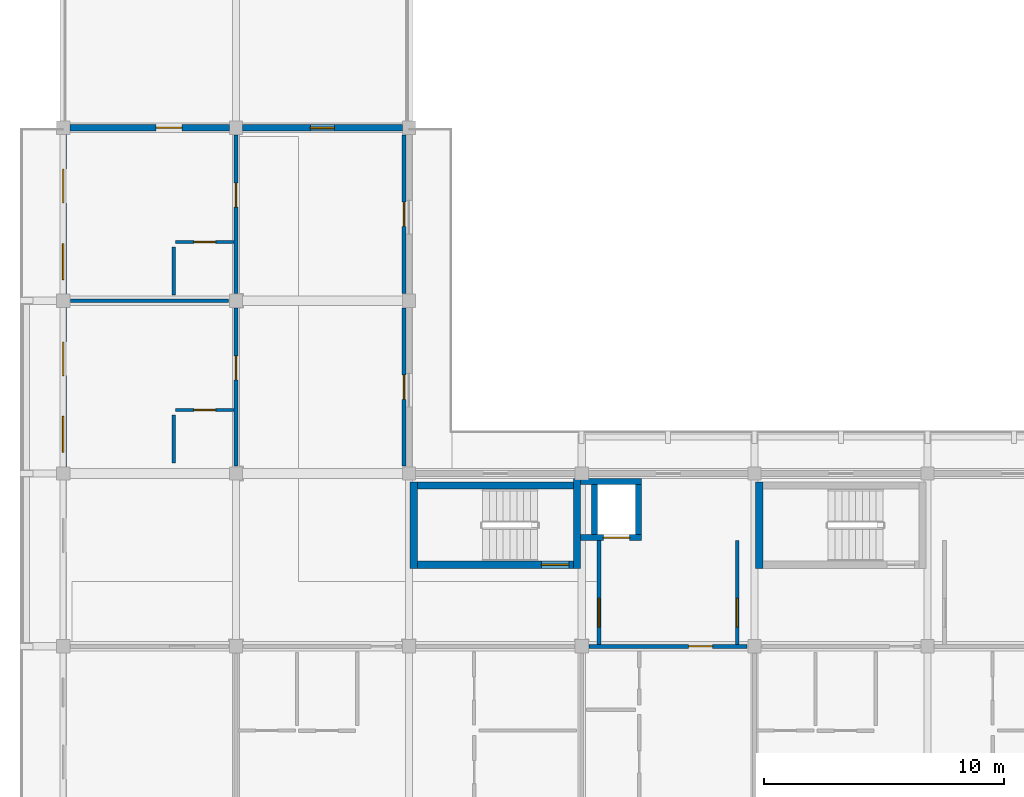
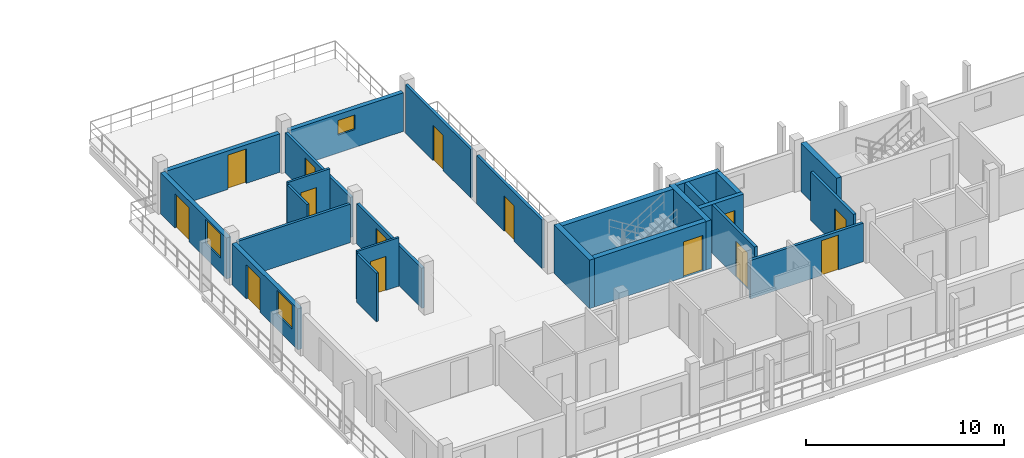
# One storey, part 35 of 67: 25 walls, 14 doors, 3 windows, 17 openings.
"""IFC4 building model written with IfcOpenShell, lengths in metres."""

from ifc_helpers import new_model, si_unit, direction, frame, frame_2d, origin, place, context, subcontext, project, spatial, rectangle, extrude, material, layer, layer_set, type_object, element, fill, save


model = new_model("IFC4")

# Units and contexts
model_context = context("Model", 3, precision=1e-05, world=origin(), true_north=direction((0.0, 1.0)))
body_context = subcontext(model_context, "Body", "Model", "MODEL_VIEW")
ifc_project = project(units=[si_unit("LENGTHUNIT", "METRE"), si_unit("AREAUNIT", "SQUARE_METRE"), si_unit("VOLUMEUNIT", "CUBIC_METRE"), si_unit("PLANEANGLEUNIT", "RADIAN"), si_unit("MASSUNIT", "GRAM", prefix="KILO")], contexts=[model_context])

# Site, building, storey
site_placement = place(None, origin())
site = spatial("IfcSite", under=ifc_project, at=site_placement, CompositionType="ELEMENT")
building_placement = place(site_placement, origin())
building = spatial("IfcBuilding", under=site, at=building_placement, Name="Suanplinth Sawtooth Commons", CompositionType="ELEMENT")
storey_placement = place(building_placement, frame((0.0, 0.0, 25.10009765625)))
storey = spatial("IfcBuildingStorey", under=building, at=storey_placement, Name="L07", CompositionType="ELEMENT", Elevation=25.10009765625)

# Wall, opening, door
ifc_material_1 = material(Name="Concrete C40/50", Category="concrete")
ifc_layer_1 = layer(ifc_material_1, 0.300048828125, Name="Standard RC stair and lift core wall 300mm")
ifc_layer_set_1 = layer_set([ifc_layer_1], Name="Concrete C40/50")
wall_type_1 = type_object("IfcWallType", Name="W-CR02", PredefinedType="SHEAR", material=ifc_layer_set_1)
wall_1_placement = place(storey_placement, frame((14.75, 10.60009765625, 0.0), z_axis=(0.0, 0.0, 1.0), x_axis=(1.0, 0.0, 0.0)))
wall_1 = element("IfcWall", 1, at=wall_1_placement, inside=storey, type_object=wall_type_1, Name="W-L07-C-D1-STS", PredefinedType="SHEAR", context=body_context, shape_type="SweptSolid", body=[
    extrude(rectangle(XDim=6.5, YDim=0.300048828125, at=frame_2d((3.25, 0.0))), origin(), (0.0, 0.0, 1.0), 2.989990234375),
])
opening_1_placement = place(wall_1_placement, frame((5.169921875, 0.0, 0.0)))
opening_1 = element("IfcOpeningElement", 2, at=opening_1_placement, cuts=wall_1, Name="Opening FD0389", PredefinedType="OPENING", context=body_context, shape_type="SweptSolid", body=[
    extrude(rectangle(XDim=1.14990234375, YDim=2.199951171875, at=frame_2d((0.574951171875, 1.10009765625))), frame((0.0, 0.1650390625, 0.0), z_axis=(0.0, -1.0, 0.0), x_axis=(1.0, 0.0, 0.0)), (0.0, 0.0, 1.0), 0.329833984375),
])
ifc_material_2 = material(Name="Teak hardwood fire-rated door assembly", Category="wood")
door_type_1 = type_object("IfcDoorType", Name="FD-01", OperationType="NOTDEFINED", PredefinedType="DOOR", material=ifc_material_2)
door_1_placement = place(opening_1_placement, origin())
door_1 = element("IfcDoor", 3, at=door_1_placement, inside=storey, type_object=door_type_1, Name="Exit Stair Fire Door FD0389", OperationType="SINGLE_SWING_RIGHT", OverallHeight=2.199951171875, OverallWidth=1.14990234375, PredefinedType="DOOR", context=body_context, shape_type="SweptSolid", body=[
    extrude(rectangle(XDim=1.14990234375, YDim=2.199951171875, at=frame_2d((0.574951171875, 1.10009765625))), frame((0.0, 0.02490234375, 0.0), z_axis=(0.0, -1.0, 0.0), x_axis=(1.0, 0.0, 0.0)), (0.0, 0.0, 1.0), 0.050048828125),
])
fill(opening_1, door_1)

# Walls
wall_2_placement = place(storey_placement, frame((14.75, 13.89990234375, 0.0), z_axis=(0.0, 0.0, 1.0), x_axis=(1.0, 0.0, 0.0)))
element("IfcWall", 4, at=wall_2_placement, inside=storey, type_object=wall_type_1, Name="W-L07-C-D1-STN", PredefinedType="SHEAR", context=body_context, shape_type="SweptSolid", body=[
    extrude(rectangle(XDim=6.5, YDim=0.300048828125, at=frame_2d((3.25, 0.0))), origin(), (0.0, 0.0, 1.0), 2.989990234375),
])
wall_3_placement = place(storey_placement, frame((14.60009765625, 10.449951171875, 0.0), z_axis=(0.0, 0.0, 1.0), x_axis=(0.0, 1.0, 0.0)))
element("IfcWall", 5, at=wall_3_placement, inside=storey, type_object=wall_type_1, Name="W-L07-C-D1-STW", PredefinedType="SHEAR", context=body_context, shape_type="SweptSolid", body=[
    extrude(rectangle(XDim=3.60009765625, YDim=0.300048828125, at=frame_2d((1.800048828125, 0.0))), origin(), (0.0, 0.0, 1.0), 2.989990234375),
])
wall_4_placement = place(storey_placement, frame((21.39990234375, 10.449951171875, 0.0), z_axis=(0.0, 0.0, 1.0), x_axis=(0.0, 1.0, 0.0)))
element("IfcWall", 6, at=wall_4_placement, inside=storey, type_object=wall_type_1, Name="W-L07-C-D1-STE", PredefinedType="SHEAR", context=body_context, shape_type="SweptSolid", body=[
    extrude(rectangle(XDim=3.75, YDim=0.300048828125, at=frame_2d((1.875, 0.0))), origin(), (0.0, 0.0, 1.0), 2.989990234375),
])
wall_5_placement = place(storey_placement, frame((29.0, 10.449951171875, 0.0), z_axis=(0.0, 0.0, 1.0), x_axis=(0.0, 1.0, 0.0)))
element("IfcWall", 7, at=wall_5_placement, inside=storey, type_object=wall_type_1, Name="W-L07-C-D2-STW", PredefinedType="SHEAR", context=body_context, shape_type="SweptSolid", body=[
    extrude(rectangle(XDim=3.60009765625, YDim=0.300048828125, at=frame_2d((1.800048828125, 0.0))), origin(), (0.0, 0.0, 1.0), 2.989990234375),
])

# Wall, openings, door, window
ifc_material_3 = material(Name="Precast concrete C40/50", Category="concrete")
ifc_layer_2 = layer(ifc_material_3, 0.260009765625, Name="Insulated precast courtyard facade wall 260mm")
ifc_layer_set_2 = layer_set([ifc_layer_2], Name="Precast concrete C40/50")
wall_type_2 = type_object("IfcWallType", Name="W-EX02", PredefinedType="ELEMENTEDWALL", material=ifc_layer_set_2)
wall_6_placement = place(storey_placement, frame((0.0, 14.675048828125, 0.0), z_axis=(0.0, 0.0, 1.0), x_axis=(0.0, 1.0, 0.0)))
wall_6 = element("IfcWall", 8, at=wall_6_placement, inside=storey, type_object=wall_type_2, Name="Facade Wall W-L07-D-W-0-2", PredefinedType="ELEMENTEDWALL", context=body_context, shape_type="SweptSolid", body=[
    extrude(rectangle(XDim=6.64990234375, YDim=0.260009765625, at=frame_2d((3.324951171875, 0.0))), origin(), (0.0, 0.0, 1.0), 2.52490234375),
])
opening_2_placement = place(wall_6_placement, frame((3.800048828125, 0.0, 0.0)))
opening_2 = element("IfcOpeningElement", 9, at=opening_2_placement, cuts=wall_6, Name="Opening ED0612", PredefinedType="OPENING", context=body_context, shape_type="SweptSolid", body=[
    extrude(rectangle(XDim=1.39990234375, YDim=2.10009765625, at=frame_2d((0.699951171875, 1.050048828125))), frame((0.0, 0.14501953125, 0.0), z_axis=(0.0, -1.0, 0.0), x_axis=(1.0, 0.0, 0.0)), (0.0, 0.0, 1.0), 0.289794921875),
])
opening_3_placement = place(wall_6_placement, frame((0.60009765625, 0.0, 0.9150390625)))
opening_3 = element("IfcOpeningElement", 10, at=opening_3_placement, cuts=wall_6, Name="Opening W0692", PredefinedType="OPENING", context=body_context, shape_type="SweptSolid", body=[
    extrude(rectangle(XDim=1.5, YDim=1.5, at=frame_2d((0.75, 0.75))), frame((0.0, 0.14501953125, 0.0), z_axis=(0.0, -1.0, 0.0), x_axis=(1.0, 0.0, 0.0)), (0.0, 0.0, 1.0), 0.289794921875),
])
ifc_material_4 = material(Name="Anodized aluminium and low-E glass", Category="aluminium")
door_type_2 = type_object("IfcDoorType", Name="SD-07", OperationType="SLIDING_TO_RIGHT", PredefinedType="DOOR", material=ifc_material_4)
door_2_placement = place(opening_2_placement, frame((1.39990234375, 0.0, 0.0), z_axis=(0.0, 0.0, 1.0), x_axis=(-1.0, 0.0, 0.0)))
door_2 = element("IfcDoor", 11, at=door_2_placement, inside=storey, type_object=door_type_2, Name="Wing Balcony Sliding Door L07-D-2", OperationType="SLIDING_TO_RIGHT", OverallHeight=2.10009765625, OverallWidth=1.39990234375, PredefinedType="DOOR", context=body_context, shape_type="SweptSolid", body=[
    extrude(rectangle(XDim=1.39990234375, YDim=2.10009765625, at=frame_2d((0.699951171875, 1.050048828125))), frame((0.0, 0.02490234375, 0.0), z_axis=(0.0, -1.0, 0.0), x_axis=(1.0, 0.0, 0.0)), (0.0, 0.0, 1.0), 0.050048828125),
])
fill(opening_2, door_2)
ifc_material_5 = material(Name="Thermally broken aluminium and low-E double glazing", Category="aluminium")
window_type_1 = type_object("IfcWindowType", Name="WN-02", PartitioningType="DOUBLE_PANEL_VERTICAL", PredefinedType="WINDOW", material=ifc_material_5)
window_1_placement = place(opening_3_placement, origin())
window_1 = element("IfcWindow", 12, at=window_1_placement, inside=storey, type_object=window_type_1, Name="Wing Window L07-D-2", OverallHeight=1.5, OverallWidth=1.5, PartitioningType="DOUBLE_PANEL_VERTICAL", PredefinedType="WINDOW", context=body_context, shape_type="SweptSolid", body=[
    extrude(rectangle(XDim=1.5, YDim=1.5, at=frame_2d((0.75, 0.75))), frame((0.0, 0.030029296875, 0.0), z_axis=(0.0, -1.0, 0.0), x_axis=(1.0, 0.0, 0.0)), (0.0, 0.0, 1.0), 0.06005859375),
])
fill(opening_3, window_1)

# Wall, opening, door
wall_7_placement = place(storey_placement, frame((0.27490234375, 28.800048828125, 0.0), z_axis=(0.0, 0.0, 1.0), x_axis=(1.0, 0.0, 0.0)))
wall_7 = element("IfcWall", 13, at=wall_7_placement, inside=storey, type_object=wall_type_2, Name="Facade Wall W-L07-D-N-0-3", PredefinedType="ELEMENTEDWALL", context=body_context, shape_type="SweptSolid", body=[
    extrude(rectangle(XDim=6.650146484375, YDim=0.260009765625, at=frame_2d((3.3251953125, 0.0))), origin(), (0.0, 0.0, 1.0), 2.375),
])
opening_4_placement = place(wall_7_placement, frame((3.60009765625, 0.0, 0.0)))
opening_4 = element("IfcOpeningElement", 14, at=opening_4_placement, cuts=wall_7, Name="Opening ED0613", PredefinedType="OPENING", context=body_context, shape_type="SweptSolid", body=[
    extrude(rectangle(XDim=1.080078125, YDim=2.1201171875, at=frame_2d((0.5400390625, 1.06005859375))), frame((0.0, 0.14501953125, 0.0), z_axis=(0.0, -1.0, 0.0), x_axis=(1.0, 0.0, 0.0)), (0.0, 0.0, 1.0), 0.289794921875),
])
door_type_3 = type_object("IfcDoorType", Name="ED-10", OperationType="NOTDEFINED", PredefinedType="DOOR", material=ifc_material_4)
door_3_placement = place(opening_4_placement, frame((1.080078125, 0.0, 0.0), z_axis=(0.0, 0.0, 1.0), x_axis=(-1.0, 0.0, 0.0)))
door_3 = element("IfcDoor", 15, at=door_3_placement, inside=storey, type_object=door_type_3, Name="L07 Block D Stepped Sky-Terrace Door 1", OperationType="SINGLE_SWING_RIGHT", OverallHeight=2.1201171875, OverallWidth=1.080078125, PredefinedType="DOOR", context=body_context, shape_type="SweptSolid", body=[
    extrude(rectangle(XDim=1.080078125, YDim=2.1201171875, at=frame_2d((0.5400390625, 1.06005859375))), frame((0.0, 0.02490234375, 0.0), z_axis=(0.0, -1.0, 0.0), x_axis=(1.0, 0.0, 0.0)), (0.0, 0.0, 1.0), 0.050048828125),
])
fill(opening_4, door_3)

# Wall, openings, door, window
wall_8_placement = place(storey_placement, frame((0.0, 21.875, 0.0), z_axis=(0.0, 0.0, 1.0), x_axis=(0.0, 1.0, 0.0)))
wall_8 = element("IfcWall", 16, at=wall_8_placement, inside=storey, type_object=wall_type_2, Name="Facade Wall W-L07-D-W-0-3", PredefinedType="ELEMENTEDWALL", context=body_context, shape_type="SweptSolid", body=[
    extrude(rectangle(XDim=6.64990234375, YDim=0.260009765625, at=frame_2d((3.324951171875, 0.0))), origin(), (0.0, 0.0, 1.0), 2.52490234375),
])
opening_5_placement = place(wall_8_placement, frame((3.800048828125, 0.0, 0.0)))
opening_5 = element("IfcOpeningElement", 17, at=opening_5_placement, cuts=wall_8, Name="Opening ED0614", PredefinedType="OPENING", context=body_context, shape_type="SweptSolid", body=[
    extrude(rectangle(XDim=1.39990234375, YDim=2.10009765625, at=frame_2d((0.699951171875, 1.050048828125))), frame((0.0, 0.14501953125, 0.0), z_axis=(0.0, -1.0, 0.0), x_axis=(1.0, 0.0, 0.0)), (0.0, 0.0, 1.0), 0.289794921875),
])
opening_6_placement = place(wall_8_placement, frame((0.60009765625, 0.0, 0.9150390625)))
opening_6 = element("IfcOpeningElement", 18, at=opening_6_placement, cuts=wall_8, Name="Opening W0693", PredefinedType="OPENING", context=body_context, shape_type="SweptSolid", body=[
    extrude(rectangle(XDim=1.5, YDim=1.5, at=frame_2d((0.75, 0.75))), frame((0.0, 0.14501953125, 0.0), z_axis=(0.0, -1.0, 0.0), x_axis=(1.0, 0.0, 0.0)), (0.0, 0.0, 1.0), 0.289794921875),
])
door_4_placement = place(opening_5_placement, frame((1.39990234375, 0.0, 0.0), z_axis=(0.0, 0.0, 1.0), x_axis=(-1.0, 0.0, 0.0)))
door_4 = element("IfcDoor", 19, at=door_4_placement, inside=storey, type_object=door_type_2, Name="Wing Balcony Sliding Door L07-D-3", OperationType="SLIDING_TO_RIGHT", OverallHeight=2.10009765625, OverallWidth=1.39990234375, PredefinedType="DOOR", context=body_context, shape_type="SweptSolid", body=[
    extrude(rectangle(XDim=1.39990234375, YDim=2.10009765625, at=frame_2d((0.699951171875, 1.050048828125))), frame((0.0, 0.02490234375, 0.0), z_axis=(0.0, -1.0, 0.0), x_axis=(1.0, 0.0, 0.0)), (0.0, 0.0, 1.0), 0.050048828125),
])
fill(opening_5, door_4)
window_2_placement = place(opening_6_placement, origin())
window_2 = element("IfcWindow", 20, at=window_2_placement, inside=storey, type_object=window_type_1, Name="Wing Window L07-D-3", OverallHeight=1.5, OverallWidth=1.5, PartitioningType="DOUBLE_PANEL_VERTICAL", PredefinedType="WINDOW", context=body_context, shape_type="SweptSolid", body=[
    extrude(rectangle(XDim=1.5, YDim=1.5, at=frame_2d((0.75, 0.75))), frame((0.0, 0.030029296875, 0.0), z_axis=(0.0, -1.0, 0.0), x_axis=(1.0, 0.0, 0.0)), (0.0, 0.0, 1.0), 0.06005859375),
])
fill(opening_6, window_2)

# Wall, opening, window
wall_9_placement = place(storey_placement, frame((7.47509765625, 28.800048828125, 0.0), z_axis=(0.0, 0.0, 1.0), x_axis=(1.0, 0.0, 0.0)))
wall_9 = element("IfcWall", 21, at=wall_9_placement, inside=storey, type_object=wall_type_2, Name="Facade Wall W-L07-D-N-1-3", PredefinedType="ELEMENTEDWALL", context=body_context, shape_type="SweptSolid", body=[
    extrude(rectangle(XDim=6.64990234375, YDim=0.260009765625, at=frame_2d((3.324951171875, 0.0))), origin(), (0.0, 0.0, 1.0), 2.375),
])
opening_7_placement = place(wall_9_placement, frame((2.824951171875, 0.0, 1.10009765625)))
opening_7 = element("IfcOpeningElement", 22, at=opening_7_placement, cuts=wall_9, Name="Opening W0695", PredefinedType="OPENING", context=body_context, shape_type="SweptSolid", body=[
    extrude(rectangle(XDim=1.0, YDim=0.89990234375, at=frame_2d((0.5, 0.449951171875))), frame((0.0, 0.14501953125, 0.0), z_axis=(0.0, -1.0, 0.0), x_axis=(1.0, 0.0, 0.0)), (0.0, 0.0, 1.0), 0.289794921875),
])
window_type_2 = type_object("IfcWindowType", Name="WN-12", PartitioningType="SINGLE_PANEL", PredefinedType="WINDOW", material=ifc_material_5)
window_3_placement = place(opening_7_placement, origin())
window_3 = element("IfcWindow", 23, at=window_3_placement, inside=storey, type_object=window_type_2, Name="End Window L07-D-N-1-3", OverallHeight=0.89990234375, OverallWidth=1.0, PartitioningType="SINGLE_PANEL", PredefinedType="WINDOW", context=body_context, shape_type="SweptSolid", body=[
    extrude(rectangle(XDim=1.0, YDim=0.89990234375, at=frame_2d((0.5, 0.449951171875))), frame((0.0, 0.030029296875, 0.0), z_axis=(0.0, -1.0, 0.0), x_axis=(1.0, 0.0, 0.0)), (0.0, 0.0, 1.0), 0.06005859375),
])
fill(opening_7, window_3)

# Wall, opening, door
ifc_layer_3 = layer(ifc_material_3, 0.159912109375, Name="Fire-rated corridor and lobby wall 160mm")
ifc_layer_set_3 = layer_set([ifc_layer_3], Name="Precast concrete C40/50")
wall_type_3 = type_object("IfcWallType", Name="W-FW01", PredefinedType="PARTITIONING", material=ifc_layer_set_3)
wall_10_placement = place(storey_placement, frame((22.320068359375, 7.280029296875, 0.0), z_axis=(0.0, 0.0, 1.0), x_axis=(0.0, 1.0, 0.0)))
wall_10 = element("IfcWall", 24, at=wall_10_placement, inside=storey, type_object=wall_type_3, Name="W-L07-C-D1-LOB-W", PredefinedType="PARTITIONING", context=body_context, shape_type="SweptSolid", body=[
    extrude(rectangle(XDim=4.320068359375, YDim=0.159912109375, at=frame_2d((2.16015625, 0.0))), origin(), (0.0, 0.0, 1.0), 2.989990234375),
])
opening_8_placement = place(wall_10_placement, frame((0.719970703125, 0.0, 0.0)))
opening_8 = element("IfcOpeningElement", 25, at=opening_8_placement, cuts=wall_10, Name="Opening FD0390", PredefinedType="OPENING", context=body_context, shape_type="SweptSolid", body=[
    extrude(rectangle(XDim=1.199951171875, YDim=2.199951171875, at=frame_2d((0.60009765625, 1.10009765625))), frame((0.0, 0.0947265625, 0.0), z_axis=(0.0, -1.0, 0.0), x_axis=(1.0, 0.0, 0.0)), (0.0, 0.0, 1.0), 0.189697265625),
])
door_type_4 = type_object("IfcDoorType", Name="FD-02", OperationType="NOTDEFINED", PredefinedType="DOOR", material=ifc_material_2)
door_5_placement = place(opening_8_placement, origin())
door_5 = element("IfcDoor", 26, at=door_5_placement, inside=storey, type_object=door_type_4, Name="Lobby Fire Door FD0390", OperationType="SINGLE_SWING_LEFT", OverallHeight=2.199951171875, OverallWidth=1.199951171875, PredefinedType="DOOR", context=body_context, shape_type="SweptSolid", body=[
    extrude(rectangle(XDim=1.199951171875, YDim=2.199951171875, at=frame_2d((0.60009765625, 1.10009765625))), frame((0.0, 0.02490234375, 0.0), z_axis=(0.0, -1.0, 0.0), x_axis=(1.0, 0.0, 0.0)), (0.0, 0.0, 1.0), 0.050048828125),
])
fill(opening_8, door_5)

wall_11_placement = place(storey_placement, frame((28.080078125, 7.280029296875, 0.0), z_axis=(0.0, 0.0, 1.0), x_axis=(0.0, 1.0, 0.0)))
wall_11 = element("IfcWall", 27, at=wall_11_placement, inside=storey, type_object=wall_type_3, Name="W-L07-C-D1-LOB-E", PredefinedType="PARTITIONING", context=body_context, shape_type="SweptSolid", body=[
    extrude(rectangle(XDim=4.320068359375, YDim=0.159912109375, at=frame_2d((2.16015625, 0.0))), origin(), (0.0, 0.0, 1.0), 2.989990234375),
])
opening_9_placement = place(wall_11_placement, frame((0.719970703125, 0.0, 0.0)))
opening_9 = element("IfcOpeningElement", 28, at=opening_9_placement, cuts=wall_11, Name="Opening FD0391", PredefinedType="OPENING", context=body_context, shape_type="SweptSolid", body=[
    extrude(rectangle(XDim=1.199951171875, YDim=2.199951171875, at=frame_2d((0.60009765625, 1.10009765625))), frame((0.0, 0.0947265625, 0.0), z_axis=(0.0, -1.0, 0.0), x_axis=(1.0, 0.0, 0.0)), (0.0, 0.0, 1.0), 0.189697265625),
])
door_6_placement = place(opening_9_placement, frame((1.199951171875, 0.0, 0.0), z_axis=(0.0, 0.0, 1.0), x_axis=(-1.0, 0.0, 0.0)))
door_6 = element("IfcDoor", 29, at=door_6_placement, inside=storey, type_object=door_type_4, Name="Lobby Fire Door FD0391", OperationType="SINGLE_SWING_RIGHT", OverallHeight=2.199951171875, OverallWidth=1.199951171875, PredefinedType="DOOR", context=body_context, shape_type="SweptSolid", body=[
    extrude(rectangle(XDim=1.199951171875, YDim=2.199951171875, at=frame_2d((0.60009765625, 1.10009765625))), frame((0.0, 0.02490234375, 0.0), z_axis=(0.0, -1.0, 0.0), x_axis=(1.0, 0.0, 0.0)), (0.0, 0.0, 1.0), 0.050048828125),
])
fill(opening_9, door_6)

wall_12_placement = place(storey_placement, frame((21.905029296875, 7.199951171875, 0.0), z_axis=(0.0, 0.0, 1.0), x_axis=(1.0, 0.0, 0.0)))
wall_12 = element("IfcWall", 30, at=wall_12_placement, inside=storey, type_object=wall_type_3, Name="W-D-L07-U03-COR", PredefinedType="PARTITIONING", context=body_context, shape_type="SweptSolid", body=[
    extrude(rectangle(XDim=6.590087890625, YDim=0.159912109375, at=frame_2d((3.294921875, 0.0))), origin(), (0.0, 0.0, 1.0), 2.375),
])
opening_10_placement = place(wall_12_placement, frame((4.14501953125, 0.0, 0.0)))
opening_10 = element("IfcOpeningElement", 31, at=opening_10_placement, cuts=wall_12, Name="Opening FD1610", PredefinedType="OPENING", context=body_context, shape_type="SweptSolid", body=[
    extrude(rectangle(XDim=1.0, YDim=2.14990234375, at=frame_2d((0.5, 1.074951171875))), frame((0.0, 0.0947265625, 0.0), z_axis=(0.0, -1.0, 0.0), x_axis=(1.0, 0.0, 0.0)), (0.0, 0.0, 1.0), 0.189697265625),
])
door_type_5 = type_object("IfcDoorType", Name="FD-03", OperationType="NOTDEFINED", PredefinedType="DOOR", material=ifc_material_2)
door_7_placement = place(opening_10_placement, frame((1.0, 0.0, 0.0), z_axis=(0.0, 0.0, 1.0), x_axis=(-1.0, 0.0, 0.0)))
door_7 = element("IfcDoor", 32, at=door_7_placement, inside=storey, type_object=door_type_5, Name="Unit Entrance Door FD1610", OperationType="SINGLE_SWING_RIGHT", OverallHeight=2.14990234375, OverallWidth=1.0, PredefinedType="DOOR", context=body_context, shape_type="SweptSolid", body=[
    extrude(rectangle(XDim=1.0, YDim=2.14990234375, at=frame_2d((0.5, 1.074951171875))), frame((0.0, 0.02490234375, 0.0), z_axis=(0.0, -1.0, 0.0), x_axis=(1.0, 0.0, 0.0)), (0.0, 0.0, 1.0), 0.050048828125),
])
fill(opening_10, door_7)

wall_13_placement = place(storey_placement, frame((7.199951171875, 14.705078125, 0.0), z_axis=(0.0, 0.0, 1.0), x_axis=(0.0, 1.0, 0.0)))
wall_13 = element("IfcWall", 33, at=wall_13_placement, inside=storey, type_object=wall_type_3, Name="W-D-L07-L01-COR", PredefinedType="PARTITIONING", context=body_context, shape_type="SweptSolid", body=[
    extrude(rectangle(XDim=6.58984375, YDim=0.159912109375, at=frame_2d((3.294921875, 0.0))), origin(), (0.0, 0.0, 1.0), 2.474853515625),
])
opening_11_placement = place(wall_13_placement, frame((3.594970703125, 0.0, 0.0)))
opening_11 = element("IfcOpeningElement", 34, at=opening_11_placement, cuts=wall_13, Name="Opening FD1622", PredefinedType="OPENING", context=body_context, shape_type="SweptSolid", body=[
    extrude(rectangle(XDim=1.0, YDim=2.14990234375, at=frame_2d((0.5, 1.074951171875))), frame((0.0, 0.0947265625, 0.0), z_axis=(0.0, -1.0, 0.0), x_axis=(1.0, 0.0, 0.0)), (0.0, 0.0, 1.0), 0.189697265625),
])
door_8_placement = place(opening_11_placement, origin())
door_8 = element("IfcDoor", 35, at=door_8_placement, inside=storey, type_object=door_type_5, Name="Wing Unit Entrance Door FD1622", OperationType="SINGLE_SWING_RIGHT", OverallHeight=2.14990234375, OverallWidth=1.0, PredefinedType="DOOR", context=body_context, shape_type="SweptSolid", body=[
    extrude(rectangle(XDim=1.0, YDim=2.14990234375, at=frame_2d((0.5, 1.074951171875))), frame((0.0, 0.02490234375, 0.0), z_axis=(0.0, -1.0, 0.0), x_axis=(1.0, 0.0, 0.0)), (0.0, 0.0, 1.0), 0.050048828125),
])
fill(opening_11, door_8)

wall_14_placement = place(storey_placement, frame((14.199951171875, 14.705078125, 0.0), z_axis=(0.0, 0.0, 1.0), x_axis=(0.0, 1.0, 0.0)))
wall_14 = element("IfcWall", 36, at=wall_14_placement, inside=storey, type_object=wall_type_3, Name="W-D-L07-LEGCOURTROOM-54-COR", PredefinedType="PARTITIONING", context=body_context, shape_type="SweptSolid", body=[
    extrude(rectangle(XDim=6.58984375, YDim=0.159912109375, at=frame_2d((3.294921875, 0.0))), origin(), (0.0, 0.0, 1.0), 2.989990234375),
])
opening_12_placement = place(wall_14_placement, frame((2.784912109375, 0.0, 0.0)))
opening_12 = element("IfcOpeningElement", 37, at=opening_12_placement, cuts=wall_14, Name="Opening D1624", PredefinedType="OPENING", context=body_context, shape_type="SweptSolid", body=[
    extrude(rectangle(XDim=1.02001953125, YDim=2.179931640625, at=frame_2d((0.510009765625, 1.08984375))), frame((0.0, 0.0947265625, 0.0), z_axis=(0.0, -1.0, 0.0), x_axis=(1.0, 0.0, 0.0)), (0.0, 0.0, 1.0), 0.189697265625),
])
ifc_material_6 = material(Name="Teak hardwood", Category="wood")
door_type_6 = type_object("IfcDoorType", Name="D-16", OperationType="NOTDEFINED", PredefinedType="DOOR", material=ifc_material_6)
door_9_placement = place(opening_12_placement, frame((1.02001953125, 0.0, 0.0), z_axis=(0.0, 0.0, 1.0), x_axis=(-1.0, 0.0, 0.0)))
door_9 = element("IfcDoor", 38, at=door_9_placement, inside=storey, type_object=door_type_6, Name="Veranda Studio Door D1624", OperationType="SINGLE_SWING_RIGHT", OverallHeight=2.179931640625, OverallWidth=1.02001953125, PredefinedType="DOOR", context=body_context, shape_type="SweptSolid", body=[
    extrude(rectangle(XDim=1.02001953125, YDim=2.179931640625, at=frame_2d((0.510009765625, 1.08984375))), frame((0.0, 0.02490234375, 0.0), z_axis=(0.0, -1.0, 0.0), x_axis=(1.0, 0.0, 0.0)), (0.0, 0.0, 1.0), 0.050048828125),
])
fill(opening_12, door_9)

wall_15_placement = place(storey_placement, frame((7.199951171875, 21.905029296875, 0.0), z_axis=(0.0, 0.0, 1.0), x_axis=(0.0, 1.0, 0.0)))
wall_15 = element("IfcWall", 39, at=wall_15_placement, inside=storey, type_object=wall_type_3, Name="W-D-L07-L02-COR", PredefinedType="PARTITIONING", context=body_context, shape_type="SweptSolid", body=[
    extrude(rectangle(XDim=6.590087890625, YDim=0.159912109375, at=frame_2d((3.294921875, 0.0))), origin(), (0.0, 0.0, 1.0), 2.474853515625),
])
opening_13_placement = place(wall_15_placement, frame((3.594970703125, 0.0, 0.0)))
opening_13 = element("IfcOpeningElement", 40, at=opening_13_placement, cuts=wall_15, Name="Opening FD1625", PredefinedType="OPENING", context=body_context, shape_type="SweptSolid", body=[
    extrude(rectangle(XDim=1.0, YDim=2.14990234375, at=frame_2d((0.5, 1.074951171875))), frame((0.0, 0.0947265625, 0.0), z_axis=(0.0, -1.0, 0.0), x_axis=(1.0, 0.0, 0.0)), (0.0, 0.0, 1.0), 0.189697265625),
])
door_10_placement = place(opening_13_placement, origin())
door_10 = element("IfcDoor", 41, at=door_10_placement, inside=storey, type_object=door_type_5, Name="Wing Unit Entrance Door FD1625", OperationType="SINGLE_SWING_LEFT", OverallHeight=2.14990234375, OverallWidth=1.0, PredefinedType="DOOR", context=body_context, shape_type="SweptSolid", body=[
    extrude(rectangle(XDim=1.0, YDim=2.14990234375, at=frame_2d((0.5, 1.074951171875))), frame((0.0, 0.02490234375, 0.0), z_axis=(0.0, -1.0, 0.0), x_axis=(1.0, 0.0, 0.0)), (0.0, 0.0, 1.0), 0.050048828125),
])
fill(opening_13, door_10)

wall_16_placement = place(storey_placement, frame((14.199951171875, 21.905029296875, 0.0), z_axis=(0.0, 0.0, 1.0), x_axis=(0.0, 1.0, 0.0)))
wall_16 = element("IfcWall", 42, at=wall_16_placement, inside=storey, type_object=wall_type_3, Name="W-D-L07-LEGCOURTROOM-56-COR", PredefinedType="PARTITIONING", context=body_context, shape_type="SweptSolid", body=[
    extrude(rectangle(XDim=6.590087890625, YDim=0.159912109375, at=frame_2d((3.294921875, 0.0))), origin(), (0.0, 0.0, 1.0), 2.989990234375),
])
opening_14_placement = place(wall_16_placement, frame((2.784912109375, 0.0, 0.0)))
opening_14 = element("IfcOpeningElement", 43, at=opening_14_placement, cuts=wall_16, Name="Opening D1627", PredefinedType="OPENING", context=body_context, shape_type="SweptSolid", body=[
    extrude(rectangle(XDim=1.02001953125, YDim=2.179931640625, at=frame_2d((0.510009765625, 1.08984375))), frame((0.0, 0.0947265625, 0.0), z_axis=(0.0, -1.0, 0.0), x_axis=(1.0, 0.0, 0.0)), (0.0, 0.0, 1.0), 0.189697265625),
])
door_11_placement = place(opening_14_placement, frame((1.02001953125, 0.0, 0.0), z_axis=(0.0, 0.0, 1.0), x_axis=(-1.0, 0.0, 0.0)))
door_11 = element("IfcDoor", 44, at=door_11_placement, inside=storey, type_object=door_type_6, Name="Veranda Studio Door D1627", OperationType="SINGLE_SWING_LEFT", OverallHeight=2.179931640625, OverallWidth=1.02001953125, PredefinedType="DOOR", context=body_context, shape_type="SweptSolid", body=[
    extrude(rectangle(XDim=1.02001953125, YDim=2.179931640625, at=frame_2d((0.510009765625, 1.08984375))), frame((0.0, 0.02490234375, 0.0), z_axis=(0.0, -1.0, 0.0), x_axis=(1.0, 0.0, 0.0)), (0.0, 0.0, 1.0), 0.050048828125),
])
fill(opening_14, door_11)

# Wall
ifc_layer_4 = layer(ifc_material_3, 0.14990234375, Name="Acoustic precast party demising wall 150mm")
ifc_layer_set_4 = layer_set([ifc_layer_4], Name="Precast concrete C40/50")
wall_type_4 = type_object("IfcWallType", Name="W-FW02", PredefinedType="PARTITIONING", material=ifc_layer_set_4)
wall_17_placement = place(storey_placement, frame((0.304931640625, 21.60009765625, 0.0), z_axis=(0.0, 0.0, 1.0), x_axis=(1.0, 0.0, 0.0)))
element("IfcWall", 45, at=wall_17_placement, inside=storey, type_object=wall_type_4, Name="W-D-L07-L01-PTY", PredefinedType="PARTITIONING", context=body_context, shape_type="SweptSolid", body=[
    extrude(rectangle(XDim=6.590087890625, YDim=0.14990234375, at=frame_2d((3.294921875, 0.0))), origin(), (0.0, 0.0, 1.0), 2.375),
])

# Wall, opening, door
ifc_material_7 = material(Name="Gypsum plasterboard on steel stud", Category="steel")
ifc_layer_5 = layer(ifc_material_7, 0.1298828125, Name="Moisture-resistant bathroom partition 130mm")
ifc_layer_set_5 = layer_set([ifc_layer_5], Name="Gypsum plasterboard on steel stud")
wall_type_5 = type_object("IfcWallType", Name="W-PT02", PredefinedType="PARTITIONING", material=ifc_layer_set_5)
wall_18_placement = place(storey_placement, frame((4.669921875, 17.044921875, 0.0), z_axis=(0.0, 0.0, 1.0), x_axis=(1.0, 0.0, 0.0)))
wall_18 = element("IfcWall", 46, at=wall_18_placement, inside=storey, type_object=wall_type_5, Name="W-D-L07-L01-BTH1", PredefinedType="PARTITIONING", context=body_context, shape_type="SweptSolid", body=[
    extrude(rectangle(XDim=2.4501953125, YDim=0.1298828125, at=frame_2d((1.22509765625, 0.0))), origin(), (0.0, 0.0, 1.0), 2.989990234375),
])
opening_15_placement = place(wall_18_placement, frame((0.77490234375, 0.0, 0.0)))
opening_15 = element("IfcOpeningElement", 47, at=opening_15_placement, cuts=wall_18, Name="Opening D1623", PredefinedType="OPENING", context=body_context, shape_type="SweptSolid", body=[
    extrude(rectangle(XDim=0.89990234375, YDim=2.10009765625, at=frame_2d((0.449951171875, 1.050048828125))), frame((0.0, 0.079833984375, 0.0), z_axis=(0.0, -1.0, 0.0), x_axis=(1.0, 0.0, 0.0)), (0.0, 0.0, 1.0), 0.15966796875),
])
door_type_7 = type_object("IfcDoorType", Name="D-01", OperationType="NOTDEFINED", PredefinedType="DOOR", material=ifc_material_6)
door_12_placement = place(opening_15_placement, frame((0.89990234375, 0.0, 0.0), z_axis=(0.0, 0.0, 1.0), x_axis=(-1.0, 0.0, 0.0)))
door_12 = element("IfcDoor", 48, at=door_12_placement, inside=storey, type_object=door_type_7, Name="Bathroom Door D1623", OperationType="SINGLE_SWING_LEFT", OverallHeight=2.10009765625, OverallWidth=0.89990234375, PredefinedType="DOOR", context=body_context, shape_type="SweptSolid", body=[
    extrude(rectangle(XDim=0.89990234375, YDim=2.10009765625, at=frame_2d((0.449951171875, 1.050048828125))), frame((0.0, 0.02490234375, 0.0), z_axis=(0.0, -1.0, 0.0), x_axis=(1.0, 0.0, 0.0)), (0.0, 0.0, 1.0), 0.050048828125),
])
fill(opening_15, door_12)

# Wall
wall_19_placement = place(storey_placement, frame((4.60498046875, 14.830078125, 0.0), z_axis=(0.0, 0.0, 1.0), x_axis=(0.0, 1.0, 0.0)))
element("IfcWall", 49, at=wall_19_placement, inside=storey, type_object=wall_type_5, Name="W-D-L07-L01-BTH2", PredefinedType="PARTITIONING", context=body_context, shape_type="SweptSolid", body=[
    extrude(rectangle(XDim=2.0, YDim=0.1298828125, at=frame_2d((1.0, 0.0))), origin(), (0.0, 0.0, 1.0), 2.989990234375),
])

# Wall, opening, door
wall_20_placement = place(storey_placement, frame((4.669921875, 24.044921875, 0.0), z_axis=(0.0, 0.0, 1.0), x_axis=(1.0, 0.0, 0.0)))
wall_20 = element("IfcWall", 50, at=wall_20_placement, inside=storey, type_object=wall_type_5, Name="W-D-L07-L02-BTH1", PredefinedType="PARTITIONING", context=body_context, shape_type="SweptSolid", body=[
    extrude(rectangle(XDim=2.4501953125, YDim=0.1298828125, at=frame_2d((1.22509765625, 0.0))), origin(), (0.0, 0.0, 1.0), 2.989990234375),
])
opening_16_placement = place(wall_20_placement, frame((0.77490234375, 0.0, 0.0)))
opening_16 = element("IfcOpeningElement", 51, at=opening_16_placement, cuts=wall_20, Name="Opening D1626", PredefinedType="OPENING", context=body_context, shape_type="SweptSolid", body=[
    extrude(rectangle(XDim=0.89990234375, YDim=2.10009765625, at=frame_2d((0.449951171875, 1.050048828125))), frame((0.0, 0.079833984375, 0.0), z_axis=(0.0, -1.0, 0.0), x_axis=(1.0, 0.0, 0.0)), (0.0, 0.0, 1.0), 0.15966796875),
])
door_13_placement = place(opening_16_placement, frame((0.89990234375, 0.0, 0.0), z_axis=(0.0, 0.0, 1.0), x_axis=(-1.0, 0.0, 0.0)))
door_13 = element("IfcDoor", 52, at=door_13_placement, inside=storey, type_object=door_type_7, Name="Bathroom Door D1626", OperationType="SINGLE_SWING_RIGHT", OverallHeight=2.10009765625, OverallWidth=0.89990234375, PredefinedType="DOOR", context=body_context, shape_type="SweptSolid", body=[
    extrude(rectangle(XDim=0.89990234375, YDim=2.10009765625, at=frame_2d((0.449951171875, 1.050048828125))), frame((0.0, 0.02490234375, 0.0), z_axis=(0.0, -1.0, 0.0), x_axis=(1.0, 0.0, 0.0)), (0.0, 0.0, 1.0), 0.050048828125),
])
fill(opening_16, door_13)

# Wall
wall_21_placement = place(storey_placement, frame((4.60498046875, 21.830078125, 0.0), z_axis=(0.0, 0.0, 1.0), x_axis=(0.0, 1.0, 0.0)))
element("IfcWall", 53, at=wall_21_placement, inside=storey, type_object=wall_type_5, Name="W-D-L07-L02-BTH2", PredefinedType="PARTITIONING", context=body_context, shape_type="SweptSolid", body=[
    extrude(rectangle(XDim=2.0, YDim=0.1298828125, at=frame_2d((1.0, 0.0))), origin(), (0.0, 0.0, 1.0), 2.989990234375),
])

# Wall, opening, door
ifc_layer_6 = layer(ifc_material_3, 0.25, Name="Precast structural shear wall 250mm")
ifc_layer_set_6 = layer_set([ifc_layer_6], Name="Precast concrete C40/50")
wall_type_6 = type_object("IfcWallType", Name="W-SH01", PredefinedType="SHEAR", material=ifc_layer_set_6)
wall_22_placement = place(storey_placement, frame((21.550048828125, 11.72509765625, 0.0), z_axis=(0.0, 0.0, 1.0), x_axis=(1.0, 0.0, 0.0)))
wall_22 = element("IfcWall", 54, at=wall_22_placement, inside=storey, type_object=wall_type_6, Name="W-L07-LF6-S", PredefinedType="SHEAR", context=body_context, shape_type="SweptSolid", body=[
    extrude(rectangle(XDim=2.550048828125, YDim=0.25, at=frame_2d((1.27490234375, 0.0))), origin(), (0.0, 0.0, 1.0), 2.989990234375),
])
opening_17_placement = place(wall_22_placement, frame((0.949951171875, 0.0, 0.0)))
opening_17 = element("IfcOpeningElement", 55, at=opening_17_placement, cuts=wall_22, Name="Opening LD0392", PredefinedType="OPENING", context=body_context, shape_type="SweptSolid", body=[
    extrude(rectangle(XDim=1.10009765625, YDim=2.14990234375, at=frame_2d((0.550048828125, 1.074951171875))), frame((0.0, 0.139892578125, 0.0), z_axis=(0.0, -1.0, 0.0), x_axis=(1.0, 0.0, 0.0)), (0.0, 0.0, 1.0), 0.27978515625),
])
ifc_material_8 = material(Name="Stainless steel Grade 304", Category="steel")
door_type_8 = type_object("IfcDoorType", Name="LD-01", OperationType="SLIDING_TO_LEFT", PredefinedType="DOOR", material=ifc_material_8)
door_14_placement = place(opening_17_placement, frame((1.10009765625, 0.0, 0.0), z_axis=(0.0, 0.0, 1.0), x_axis=(-1.0, 0.0, 0.0)))
door_14 = element("IfcDoor", 56, at=door_14_placement, inside=storey, type_object=door_type_8, Name="Lift Landing Sliding Door LF6 L07", OperationType="SLIDING_TO_LEFT", OverallHeight=2.14990234375, OverallWidth=1.10009765625, PredefinedType="DOOR", context=body_context, shape_type="SweptSolid", body=[
    extrude(rectangle(XDim=1.10009765625, YDim=2.14990234375, at=frame_2d((0.550048828125, 1.074951171875))), frame((0.0, 0.02490234375, 0.0), z_axis=(0.0, -1.0, 0.0), x_axis=(1.0, 0.0, 0.0)), (0.0, 0.0, 1.0), 0.050048828125),
])
fill(opening_17, door_14)

# Walls
wall_23_placement = place(storey_placement, frame((21.550048828125, 14.074951171875, 0.0), z_axis=(0.0, 0.0, 1.0), x_axis=(1.0, 0.0, 0.0)))
element("IfcWall", 57, at=wall_23_placement, inside=storey, type_object=wall_type_6, Name="W-L07-LF6-N", PredefinedType="SHEAR", context=body_context, shape_type="SweptSolid", body=[
    extrude(rectangle(XDim=2.550048828125, YDim=0.25, at=frame_2d((1.27490234375, 0.0))), origin(), (0.0, 0.0, 1.0), 2.989990234375),
])
for number, where, z_axis, x_axis, name in (
    (58, (22.125, 11.85009765625, 0.0), (0.0, 0.0, 1.0), (0.0, 1.0, 0.0), "W-L07-LF6-W"),
    (59, (23.97509765625, 11.85009765625, 0.0), (0.0, 0.0, 1.0), (0.0, 1.0, 0.0), "W-L07-LF6-E"),
):
    element("IfcWall", number, at=place(storey_placement, frame(where, z_axis=z_axis, x_axis=x_axis)), inside=storey, type_object=wall_type_6, Name=name, PredefinedType="SHEAR", context=body_context, shape_type="SweptSolid", body=[
        extrude(rectangle(XDim=2.099853515625, YDim=0.25, at=frame_2d((1.0498046875, 0.0))), origin(), (0.0, 0.0, 1.0), 2.989990234375),
    ])

save(model, "model.ifc")
